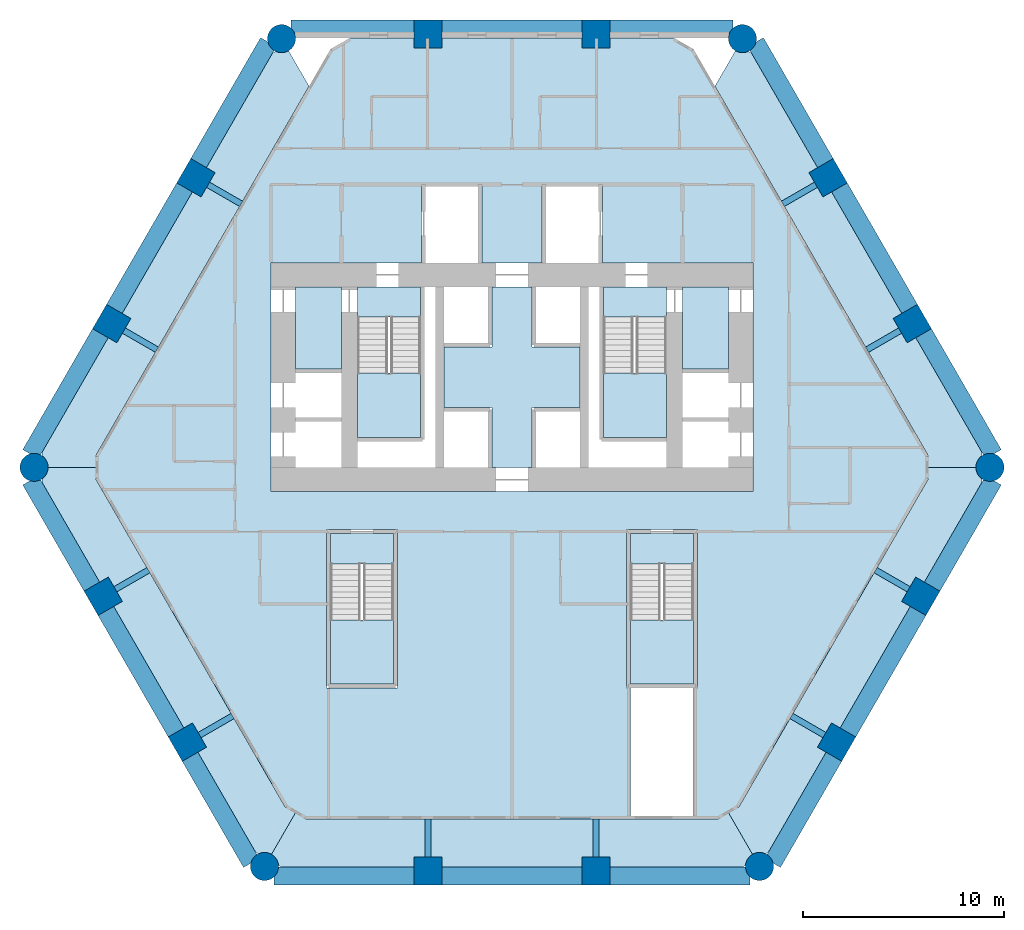
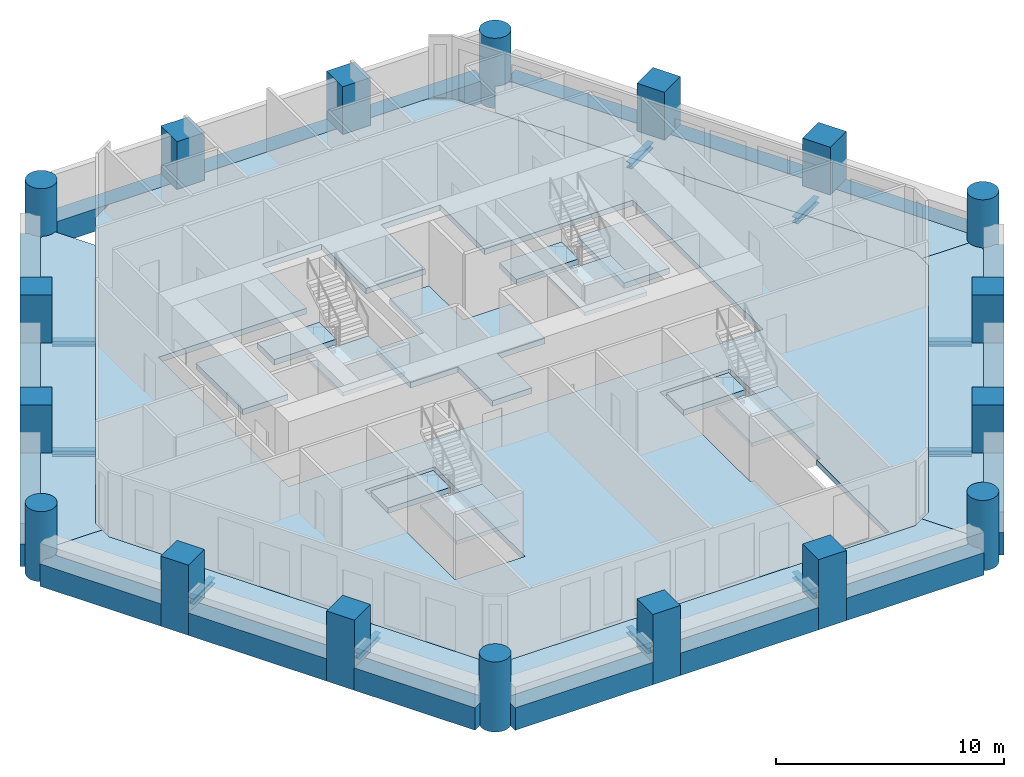
# One storey, part 1 of 8: 28 beams, 18 columns, 17 slabs, 4 elements without a shape of their own.
"""IFC4 building model written with IfcOpenShell, lengths in metres."""

from ifc_helpers import new_model, si_unit, direction, frame, origin, origin_2d, place, context, subcontext, project, spatial, polyline, rectangle, circle, i_section, outline, extrude, material, layer, layer_set, material_profile, profile_set, type_object, element, aggregate, save


model = new_model("IFC4")

# Units and contexts
model_context = context("Model", 3, precision=1e-05, world=origin(), true_north=direction((0.0, 1.0)))
body_context = subcontext(model_context, "Body", "Model", "MODEL_VIEW")
ifc_project = project(units=[si_unit("LENGTHUNIT", "METRE"), si_unit("AREAUNIT", "SQUARE_METRE"), si_unit("VOLUMEUNIT", "CUBIC_METRE"), si_unit("PLANEANGLEUNIT", "RADIAN"), si_unit("MASSUNIT", "GRAM", prefix="KILO")], contexts=[model_context])

# Site, building, storey
site_placement = place(None, origin())
site = spatial("IfcSite", under=ifc_project, at=site_placement, CompositionType="ELEMENT")
building_placement = place(site_placement, origin())
building = spatial("IfcBuilding", under=site, at=building_placement, Name="Ostrander Bayou Hotel Tower", CompositionType="ELEMENT")
storey_placement = place(building_placement, frame((0.0, 0.0, 50.5)))
storey = spatial("IfcBuildingStorey", under=building, at=storey_placement, Name="L12", CompositionType="ELEMENT", Elevation=50.5)

# Columns
ifc_material_1 = material(Name="Concrete f'c 70 MPa", Category="concrete")
ifc_material_profile_1 = material_profile(ifc_material_1, circle(Radius=0.699951171875, at=origin_2d()))
ifc_profile_set_1 = profile_set([ifc_material_profile_1], Name="Concrete f'c 70 MPa")
column_type_1 = type_object("IfcColumnType", Name="C1 round column 1400 mm f'c 70 MPa", PredefinedType="COLUMN", material=ifc_profile_set_1)
for number, where, z_axis, x_axis, name in (
    (1, (-11.483642578125, 20.872314453125, -1.199951171875), (0.0, 0.0, 1.0), (1.0, 0.0, 0.0), "C1 L12 K0"),
    (2, (-23.817626953125, -0.490966796875, -1.199951171875), (0.0, 0.0, 1.0), (1.0, 0.0, 0.0), "C1 L12 K1"),
    (3, (-12.333984375, -20.38134765625, -1.199951171875), (0.0, 0.0, 1.0), (1.0, 0.0, 0.0), "C1 L12 K2"),
    (4, (12.333984375, -20.38134765625, -1.199951171875), (0.0, 0.0, 1.0), (1.0, 0.0, 0.0), "C1 L12 K3"),
    (5, (23.817626953125, -0.490966796875, -1.199951171875), (0.0, 0.0, 1.0), (1.0, 0.0, 0.0), "C1 L12 K4"),
    (6, (11.483642578125, 20.872314453125, -1.199951171875), (0.0, 0.0, 1.0), (1.0, 0.0, 0.0), "C1 L12 K5"),
):
    element("IfcColumn", number, at=place(storey_placement, frame(where, z_axis=z_axis, x_axis=x_axis)), inside=storey, type_object=column_type_1, Name=name, PredefinedType="COLUMN", context=body_context, shape_type="SweptSolid", body=[
        extrude(circle(Radius=0.699951171875, at=origin_2d()), origin(), (0.0, 0.0, 1.0), 3.75),
    ])
ifc_material_2 = material(Name="Concrete f'c 70 MPa", Category="concrete")
ifc_material_profile_2 = material_profile(ifc_material_2, rectangle(XDim=1.39990234375, YDim=1.39990234375, at=origin_2d()))
ifc_profile_set_2 = profile_set([ifc_material_profile_2], Name="Concrete f'c 70 MPa")
column_type_2 = type_object("IfcColumnType", Name="C2 square column 1400 x 1400 mm f'c 70 MPa", PredefinedType="COLUMN", material=ifc_profile_set_2)
for number, where, z_axis, x_axis, name in (
    (7, (4.1953125, 21.10009765625, -1.199951171875), (0.0, 0.0, 1.0), (1.0, 0.0, 0.0), "C2 L12 N1"),
    (8, (-4.1953125, 21.10009765625, -1.199951171875), (0.0, 0.0, 1.0), (1.0, 0.0, 0.0), "C2 L12 N2"),
    (9, (-15.750244140625, 13.93798828125, -1.199951171875), (0.0, 0.0, 1.0), (0.5, 0.866025403784, 0.0), "C2 L12 NW1"),
    (10, (-19.94580078125, 6.671142578125, -1.199951171875), (0.0, 0.0, 1.0), (0.5, 0.866025403784, 0.0), "C2 L12 NW2"),
    (11, (-20.370849609375, -6.916748046875, -1.199951171875), (0.0, 0.0, 1.0), (-0.5, 0.866025403784, 0.0), "C2 L12 SW1"),
    (12, (-16.17529296875, -14.183349609375, -1.199951171875), (0.0, 0.0, 1.0), (-0.5, 0.866025403784, 0.0), "C2 L12 SW2"),
    (13, (-4.1953125, -20.60888671875, -1.199951171875), (0.0, 0.0, 1.0), (-1.0, 0.0, 0.0), "C2 L12 S1"),
    (14, (4.1953125, -20.60888671875, -1.199951171875), (0.0, 0.0, 1.0), (-1.0, 0.0, 0.0), "C2 L12 S2"),
    (15, (16.17529296875, -14.183349609375, -1.199951171875), (0.0, 0.0, 1.0), (-0.5, -0.866025403784, 0.0), "C2 L12 SE1"),
    (16, (20.370849609375, -6.916748046875, -1.199951171875), (0.0, 0.0, 1.0), (-0.5, -0.866025403784, 0.0), "C2 L12 SE2"),
    (17, (19.94580078125, 6.671142578125, -1.199951171875), (0.0, 0.0, 1.0), (0.5, -0.866025403784, 0.0), "C2 L12 NE1"),
    (18, (15.750244140625, 13.93798828125, -1.199951171875), (0.0, 0.0, 1.0), (0.5, -0.866025403784, 0.0), "C2 L12 NE2"),
):
    element("IfcColumn", number, at=place(storey_placement, frame(where, z_axis=z_axis, x_axis=x_axis)), inside=storey, type_object=column_type_2, Name=name, PredefinedType="COLUMN", context=body_context, shape_type="SweptSolid", body=[
        extrude(rectangle(XDim=1.39990234375, YDim=1.39990234375, at=origin_2d()), origin(), (0.0, 0.0, 1.0), 3.75),
    ])

# Beams
ifc_material_3 = material(Name="Steel ASTM A992", Category="steel")
ifc_material_profile_3 = material_profile(ifc_material_3, i_section(OverallWidth=0.3046875, OverallDepth=0.307861328125, WebThickness=0.010009765625, FlangeThickness=0.015380859375, at=origin_2d()))
ifc_profile_set_3 = profile_set([ifc_material_profile_3], Name="Steel ASTM A992")
beam_type_1 = type_object("IfcBeamType", Name="LB1 loggia bracket W12x65", PredefinedType="BEAM", material=ifc_profile_set_3)
beam_1_placement = place(storey_placement, frame((-15.14404296875, 13.587890625, -0.453857421875), z_axis=(0.866044365799, -0.499967155389, 0.0), x_axis=(0.499967155389, 0.866044365799, 0.0)))
element("IfcBeam", 19, at=beam_1_placement, inside=storey, type_object=beam_type_1, Name="LB1 L12 NW1", PredefinedType="BEAM", context=body_context, shape_type="SweptSolid", body=[
    extrude(i_section(OverallWidth=0.3046875, OverallDepth=0.307861328125, WebThickness=0.010009765625, FlangeThickness=0.015380859375, at=origin_2d()), origin(), (0.0, 0.0, 1.0), 1.900146484375),
])
beam_2_placement = place(storey_placement, frame((-19.33935546875, 6.3212890625, -0.453857421875), z_axis=(0.865956592479, -0.500119165741, 0.0), x_axis=(0.500119165741, 0.865956592479, 0.0)))
element("IfcBeam", 20, at=beam_2_placement, inside=storey, type_object=beam_type_1, Name="LB1 L12 NW2", PredefinedType="BEAM", context=body_context, shape_type="SweptSolid", body=[
    extrude(i_section(OverallWidth=0.3046875, OverallDepth=0.307861328125, WebThickness=0.010009765625, FlangeThickness=0.015380859375, at=origin_2d()), origin(), (0.0, 0.0, 1.0), 1.89990234375),
])
beam_3_placement = place(storey_placement, frame((-19.7646484375, -6.566650390625, -0.453857421875), z_axis=(0.866044365799, 0.499967155389, 0.0), x_axis=(-0.499967155389, 0.866044365799, 0.0)))
element("IfcBeam", 21, at=beam_3_placement, inside=storey, type_object=beam_type_1, Name="LB1 L12 SW1", PredefinedType="BEAM", context=body_context, shape_type="SweptSolid", body=[
    extrude(i_section(OverallWidth=0.3046875, OverallDepth=0.307861328125, WebThickness=0.010009765625, FlangeThickness=0.015380859375, at=origin_2d()), origin(), (0.0, 0.0, 1.0), 1.900146484375),
])
for number, where, z_axis, x_axis, name in (
    (22, (-15.569091796875, -13.833251953125, -0.453857421875), (0.86601224135, 0.500022797313, 0.0), (-0.500022797313, 0.86601224135, 0.0), "LB1 L12 SW2"),
    (23, (-4.1953125, -19.908935546875, -0.453857421875), (0.0, 1.0, 0.0), (-1.0, 0.0, 0.0), "LB1 L12 S1"),
    (24, (4.1953125, -19.908935546875, -0.453857421875), (0.0, 1.0, 0.0), (-1.0, 0.0, 0.0), "LB1 L12 S2"),
    (25, (15.569091796875, -13.833251953125, -0.453857421875), (-0.86601224135, 0.500022797313, 0.0), (-0.500022797313, -0.86601224135, 0.0), "LB1 L12 SE1"),
):
    element("IfcBeam", number, at=place(storey_placement, frame(where, z_axis=z_axis, x_axis=x_axis)), inside=storey, type_object=beam_type_1, Name=name, PredefinedType="BEAM", context=body_context, shape_type="SweptSolid", body=[
        extrude(i_section(OverallWidth=0.3046875, OverallDepth=0.307861328125, WebThickness=0.010009765625, FlangeThickness=0.015380859375, at=origin_2d()), origin(), (0.0, 0.0, 1.0), 1.89990234375),
    ])
beam_4_placement = place(storey_placement, frame((19.7646484375, -6.566650390625, -0.453857421875), z_axis=(-0.866044365799, 0.499967155389, 0.0), x_axis=(-0.499967155389, -0.866044365799, 0.0)))
element("IfcBeam", 26, at=beam_4_placement, inside=storey, type_object=beam_type_1, Name="LB1 L12 SE2", PredefinedType="BEAM", context=body_context, shape_type="SweptSolid", body=[
    extrude(i_section(OverallWidth=0.3046875, OverallDepth=0.307861328125, WebThickness=0.010009765625, FlangeThickness=0.015380859375, at=origin_2d()), origin(), (0.0, 0.0, 1.0), 1.900146484375),
])
beam_5_placement = place(storey_placement, frame((19.33935546875, 6.3212890625, -0.453857421875), z_axis=(-0.865956592479, -0.500119165741, 0.0), x_axis=(0.500119165741, -0.865956592479, 0.0)))
element("IfcBeam", 27, at=beam_5_placement, inside=storey, type_object=beam_type_1, Name="LB1 L12 NE1", PredefinedType="BEAM", context=body_context, shape_type="SweptSolid", body=[
    extrude(i_section(OverallWidth=0.3046875, OverallDepth=0.307861328125, WebThickness=0.010009765625, FlangeThickness=0.015380859375, at=origin_2d()), origin(), (0.0, 0.0, 1.0), 1.89990234375),
])
beam_6_placement = place(storey_placement, frame((15.14404296875, 13.587890625, -0.453857421875), z_axis=(-0.866044365799, -0.499967155389, 0.0), x_axis=(0.499967155389, -0.866044365799, 0.0)))
element("IfcBeam", 28, at=beam_6_placement, inside=storey, type_object=beam_type_1, Name="LB1 L12 NE2", PredefinedType="BEAM", context=body_context, shape_type="SweptSolid", body=[
    extrude(i_section(OverallWidth=0.3046875, OverallDepth=0.307861328125, WebThickness=0.010009765625, FlangeThickness=0.015380859375, at=origin_2d()), origin(), (0.0, 0.0, 1.0), 1.900146484375),
])
ifc_material_4 = material(Name="Concrete f'c 70 MPa", Category="concrete")
ifc_material_profile_4 = material_profile(ifc_material_4, rectangle(XDim=0.89990234375, YDim=1.199951171875, at=origin_2d()))
ifc_profile_set_4 = profile_set([ifc_material_profile_4], Name="Concrete f'c 70 MPa")
beam_type_2 = type_object("IfcBeamType", Name="SP1 spandrel beam 900 x 1200 mm f'c 70 MPa", PredefinedType="SPANDREL", material=ifc_profile_set_4)
beam_7_placement = place(storey_placement, frame((11.002197265625, 21.35009765625, -0.60009765625), z_axis=(-1.0, 0.0, 0.0), x_axis=(0.0, -1.0, 0.0)))
element("IfcBeam", 29, at=beam_7_placement, inside=storey, type_object=beam_type_2, Name="SP1 L12 N-1", PredefinedType="SPANDREL", context=body_context, shape_type="SweptSolid", body=[
    extrude(rectangle(XDim=0.89990234375, YDim=1.199951171875, at=origin_2d()), origin(), (0.0, 0.0, 1.0), 6.13671875),
])
beam_8_placement = place(storey_placement, frame((3.525390625, 21.35009765625, -0.60009765625), z_axis=(-1.0, 0.0, 0.0), x_axis=(0.0, -1.0, 0.0)))
element("IfcBeam", 30, at=beam_8_placement, inside=storey, type_object=beam_type_2, Name="SP1 L12 N-2", PredefinedType="SPANDREL", context=body_context, shape_type="SweptSolid", body=[
    extrude(rectangle(XDim=0.89990234375, YDim=1.199951171875, at=origin_2d()), origin(), (0.0, 0.0, 1.0), 7.05078125),
])
beam_9_placement = place(storey_placement, frame((-4.865478515625, 21.35009765625, -0.60009765625), z_axis=(-1.0, 0.0, 0.0), x_axis=(0.0, -1.0, 0.0)))
element("IfcBeam", 31, at=beam_9_placement, inside=storey, type_object=beam_type_2, Name="SP1 L12 N-3", PredefinedType="SPANDREL", context=body_context, shape_type="SweptSolid", body=[
    extrude(rectangle(XDim=0.89990234375, YDim=1.199951171875, at=origin_2d()), origin(), (0.0, 0.0, 1.0), 6.13671875),
])
beam_10_placement = place(storey_placement, frame((-12.13818359375, 20.694091796875, -0.60009765625), z_axis=(-0.500009789943, -0.866019751484, 0.0), x_axis=(0.866019751484, -0.500009789943, 0.0)))
element("IfcBeam", 32, at=beam_10_placement, inside=storey, type_object=beam_type_2, Name="SP1 L12 NW-1", PredefinedType="SPANDREL", context=body_context, shape_type="SweptSolid", body=[
    extrude(rectangle(XDim=0.89990234375, YDim=1.199951171875, at=origin_2d()), origin(), (0.0, 0.0, 1.0), 6.987060546875),
])
beam_11_placement = place(storey_placement, frame((-16.3017578125, 13.482666015625, -0.60009765625), z_axis=(-0.499997206141, -0.866027016814, 0.0), x_axis=(0.866027016814, -0.499997206141, 0.0)))
element("IfcBeam", 33, at=beam_11_placement, inside=storey, type_object=beam_type_2, Name="SP1 L12 NW-2", PredefinedType="SPANDREL", context=body_context, shape_type="SweptSolid", body=[
    extrude(rectangle(XDim=0.89990234375, YDim=1.199951171875, at=origin_2d()), origin(), (0.0, 0.0, 1.0), 7.05078125),
])
beam_12_placement = place(storey_placement, frame((-20.497314453125, 6.216064453125, -0.60009765625), z_axis=(-0.499983583635, -0.86603488157, 0.0), x_axis=(0.86603488157, -0.499983583635, 0.0)))
element("IfcBeam", 34, at=beam_12_placement, inside=storey, type_object=beam_type_2, Name="SP1 L12 NW-3", PredefinedType="SPANDREL", context=body_context, shape_type="SweptSolid", body=[
    extrude(rectangle(XDim=0.89990234375, YDim=1.199951171875, at=origin_2d()), origin(), (0.0, 0.0, 1.0), 6.987060546875),
])
beam_13_placement = place(storey_placement, frame((-23.99072265625, -1.14697265625, -0.60009765625), z_axis=(0.500007141444, -0.86602128063, 0.0), x_axis=(0.86602128063, 0.500007141444, 0.0)))
element("IfcBeam", 35, at=beam_13_placement, inside=storey, type_object=beam_type_2, Name="SP1 L12 SW-1", PredefinedType="SPANDREL", context=body_context, shape_type="SweptSolid", body=[
    extrude(rectangle(XDim=0.89990234375, YDim=1.199951171875, at=origin_2d()), origin(), (0.0, 0.0, 1.0), 6.13671875),
])
beam_14_placement = place(storey_placement, frame((-20.252197265625, -7.621826171875, -0.60009765625), z_axis=(0.499997206141, -0.866027016814, 0.0), x_axis=(0.866027016814, 0.499997206141, 0.0)))
element("IfcBeam", 36, at=beam_14_placement, inside=storey, type_object=beam_type_2, Name="SP1 L12 SW-2", PredefinedType="SPANDREL", context=body_context, shape_type="SweptSolid", body=[
    extrude(rectangle(XDim=0.89990234375, YDim=1.199951171875, at=origin_2d()), origin(), (0.0, 0.0, 1.0), 7.05078125),
])
beam_15_placement = place(storey_placement, frame((-16.056884765625, -14.888671875, -0.60009765625), z_axis=(0.500007141444, -0.86602128063, 0.0), x_axis=(0.86602128063, 0.500007141444, 0.0)))
element("IfcBeam", 37, at=beam_15_placement, inside=storey, type_object=beam_type_2, Name="SP1 L12 SW-3", PredefinedType="SPANDREL", context=body_context, shape_type="SweptSolid", body=[
    extrude(rectangle(XDim=0.89990234375, YDim=1.199951171875, at=origin_2d()), origin(), (0.0, 0.0, 1.0), 6.13671875),
])
beam_16_placement = place(storey_placement, frame((-11.852294921875, -20.85888671875, -0.60009765625), z_axis=(1.0, 0.0, 0.0), x_axis=(0.0, 1.0, 0.0)))
element("IfcBeam", 38, at=beam_16_placement, inside=storey, type_object=beam_type_2, Name="SP1 L12 S-1", PredefinedType="SPANDREL", context=body_context, shape_type="SweptSolid", body=[
    extrude(rectangle(XDim=0.89990234375, YDim=1.199951171875, at=origin_2d()), origin(), (0.0, 0.0, 1.0), 6.98681640625),
])
beam_17_placement = place(storey_placement, frame((-3.525390625, -20.85888671875, -0.60009765625), z_axis=(1.0, 0.0, 0.0), x_axis=(0.0, 1.0, 0.0)))
element("IfcBeam", 39, at=beam_17_placement, inside=storey, type_object=beam_type_2, Name="SP1 L12 S-2", PredefinedType="SPANDREL", context=body_context, shape_type="SweptSolid", body=[
    extrude(rectangle(XDim=0.89990234375, YDim=1.199951171875, at=origin_2d()), origin(), (0.0, 0.0, 1.0), 7.05078125),
])
beam_18_placement = place(storey_placement, frame((4.865478515625, -20.85888671875, -0.60009765625), z_axis=(1.0, 0.0, 0.0), x_axis=(0.0, 1.0, 0.0)))
element("IfcBeam", 40, at=beam_18_placement, inside=storey, type_object=beam_type_2, Name="SP1 L12 S-3", PredefinedType="SPANDREL", context=body_context, shape_type="SweptSolid", body=[
    extrude(rectangle(XDim=0.89990234375, YDim=1.199951171875, at=origin_2d()), origin(), (0.0, 0.0, 1.0), 6.98681640625),
])
beam_19_placement = place(storey_placement, frame((12.988525390625, -20.203125, -0.60009765625), z_axis=(0.500007141444, 0.86602128063, 0.0), x_axis=(-0.86602128063, 0.500007141444, 0.0)))
element("IfcBeam", 41, at=beam_19_placement, inside=storey, type_object=beam_type_2, Name="SP1 L12 SE-1", PredefinedType="SPANDREL", context=body_context, shape_type="SweptSolid", body=[
    extrude(rectangle(XDim=0.89990234375, YDim=1.199951171875, at=origin_2d()), origin(), (0.0, 0.0, 1.0), 6.13671875),
])
beam_20_placement = place(storey_placement, frame((16.726806640625, -13.72802734375, -0.60009765625), z_axis=(0.499997206141, 0.866027016814, 0.0), x_axis=(-0.866027016814, 0.499997206141, 0.0)))
element("IfcBeam", 42, at=beam_20_placement, inside=storey, type_object=beam_type_2, Name="SP1 L12 SE-2", PredefinedType="SPANDREL", context=body_context, shape_type="SweptSolid", body=[
    extrude(rectangle(XDim=0.89990234375, YDim=1.199951171875, at=origin_2d()), origin(), (0.0, 0.0, 1.0), 7.05078125),
])
beam_21_placement = place(storey_placement, frame((20.92236328125, -6.46142578125, -0.60009765625), z_axis=(0.500007141444, 0.86602128063, 0.0), x_axis=(-0.86602128063, 0.500007141444, 0.0)))
element("IfcBeam", 43, at=beam_21_placement, inside=storey, type_object=beam_type_2, Name="SP1 L12 SE-3", PredefinedType="SPANDREL", context=body_context, shape_type="SweptSolid", body=[
    extrude(rectangle(XDim=0.89990234375, YDim=1.199951171875, at=origin_2d()), origin(), (0.0, 0.0, 1.0), 6.13671875),
])
beam_22_placement = place(storey_placement, frame((23.99072265625, 0.1650390625, -0.60009765625), z_axis=(-0.499983583635, 0.86603488157, 0.0), x_axis=(-0.86603488157, -0.499983583635, 0.0)))
element("IfcBeam", 44, at=beam_22_placement, inside=storey, type_object=beam_type_2, Name="SP1 L12 NE-1", PredefinedType="SPANDREL", context=body_context, shape_type="SweptSolid", body=[
    extrude(rectangle(XDim=0.89990234375, YDim=1.199951171875, at=origin_2d()), origin(), (0.0, 0.0, 1.0), 6.987060546875),
])
beam_23_placement = place(storey_placement, frame((19.8271484375, 7.37646484375, -0.60009765625), z_axis=(-0.499997206141, 0.866027016814, 0.0), x_axis=(-0.866027016814, -0.499997206141, 0.0)))
element("IfcBeam", 45, at=beam_23_placement, inside=storey, type_object=beam_type_2, Name="SP1 L12 NE-2", PredefinedType="SPANDREL", context=body_context, shape_type="SweptSolid", body=[
    extrude(rectangle(XDim=0.89990234375, YDim=1.199951171875, at=origin_2d()), origin(), (0.0, 0.0, 1.0), 7.05078125),
])
beam_24_placement = place(storey_placement, frame((15.6318359375, 14.64306640625, -0.60009765625), z_axis=(-0.500009789943, 0.866019751484, 0.0), x_axis=(-0.866019751484, -0.500009789943, 0.0)))
element("IfcBeam", 46, at=beam_24_placement, inside=storey, type_object=beam_type_2, Name="SP1 L12 NE-3", PredefinedType="SPANDREL", context=body_context, shape_type="SweptSolid", body=[
    extrude(rectangle(XDim=0.89990234375, YDim=1.199951171875, at=origin_2d()), origin(), (0.0, 0.0, 1.0), 6.987060546875),
])

# Slabs
ifc_material_5 = material(Name="Concrete f'c 40 MPa", Category="concrete")
ifc_layer_1 = layer(ifc_material_5, 0.300048828125)
ifc_layer_set_1 = layer_set([ifc_layer_1], Name="SL1 floor slab 300 mm f'c 40 MPa")
slab_type_1 = type_object("IfcSlabType", Name="SL1 floor slab 300 mm f'c 40 MPa", PredefinedType="FLOOR", material=ifc_layer_set_1)
slab_1_placement = place(storey_placement, frame((0.0, 0.0, -0.300048828125)))
element("IfcSlab", 47, at=slab_1_placement, inside=storey, type_object=slab_type_1, Name="SL1 L12 1", PredefinedType="FLOOR", context=body_context, shape_type="SweptSolid", body=[
    extrude(outline(polyline([(-3.525390625, 20.89990234375), (3.525390625, 20.89990234375), (4.865478515625, 20.89990234375), (8.03564453125, 20.89990234375), (9.07470703125, 20.300048828125), (20.732177734375, 0.10888671875), (20.732177734375, -1.091064453125), (11.310791015625, -17.408935546875), (10.271484375, -18.009033203125), (-10.271484375, -18.009033203125), (-11.310791015625, -17.408935546875), (-20.732177734375, -1.091064453125), (-20.732177734375, 0.10888671875), (-9.07470703125, 20.300048828125), (-8.03564453125, 20.89990234375), (-4.865478515625, 20.89990234375), (-3.525390625, 20.89990234375)]), holes=[polyline([(-12.0, -1.699951171875), (12.0, -1.699951171875), (12.0, 9.699951171875), (4.5, 9.699951171875), (4.5, 13.60009765625), (1.5, 13.60009765625), (1.5, 9.699951171875), (-1.5, 9.699951171875), (-1.5, 13.60009765625), (-4.5, 13.60009765625), (-4.5, 9.699951171875), (-12.0, 9.699951171875), (-12.0, -1.699951171875)]), polyline([(9.050048828125, -11.5), (9.25, -11.5), (9.25, -3.60009765625), (5.699951171875, -3.60009765625), (5.699951171875, -11.5), (5.89990234375, -11.5), (5.89990234375, -17.85888671875), (9.050048828125, -17.85888671875), (9.050048828125, -11.5)]), polyline([(-5.699951171875, -3.60009765625), (-9.25, -3.60009765625), (-9.25, -11.5), (-5.699951171875, -11.5), (-5.699951171875, -3.60009765625)])]), origin(), (0.0, 0.0, 1.0), 0.300048828125),
])
slab_2_placement = place(storey_placement, frame((0.0, 0.0, -0.300048828125)))
element("IfcSlab", 48, at=slab_2_placement, inside=storey, type_object=slab_type_1, Name="cslab:L12:001", PredefinedType="FLOOR", context=body_context, shape_type="SweptSolid", body=[
    extrude(outline(polyline([(-3.39990234375, 5.5), (-1.0, 5.5), (-1.0, 8.5), (1.0, 8.5), (1.0, 5.5), (3.39990234375, 5.5), (3.39990234375, 2.5), (1.0, 2.5), (1.0, -0.5), (-1.0, -0.5), (-1.0, 2.5), (-3.39990234375, 2.5), (-3.39990234375, 5.5)])), origin(), (0.0, 0.0, 1.0), 0.300048828125),
])
slab_3_placement = place(storey_placement, frame((0.0, 0.0, -0.300048828125)))
element("IfcSlab", 49, at=slab_3_placement, inside=storey, type_object=slab_type_1, Name="cslab:L12:002", PredefinedType="FLOOR", context=body_context, shape_type="SweptSolid", body=[
    extrude(outline(polyline([(-8.5, 4.39990234375), (-8.5, 8.5), (-10.800048828125, 8.5), (-10.800048828125, 4.39990234375), (-8.5, 4.39990234375)])), origin(), (0.0, 0.0, 1.0), 0.300048828125),
])
slab_4_placement = place(storey_placement, frame((0.0, 0.0, -0.300048828125)))
element("IfcSlab", 50, at=slab_4_placement, inside=storey, type_object=slab_type_1, Name="cslab:L12:003", PredefinedType="FLOOR", context=body_context, shape_type="SweptSolid", body=[
    extrude(outline(polyline([(10.800048828125, 4.39990234375), (10.800048828125, 8.5), (8.5, 8.5), (8.5, 4.39990234375), (10.800048828125, 4.39990234375)])), origin(), (0.0, 0.0, 1.0), 0.300048828125),
])
slab_5_placement = place(storey_placement, frame((0.0, 0.0, -0.300048828125)))
element("IfcSlab", 51, at=slab_5_placement, inside=storey, type_object=slab_type_1, Name="cslab:L12:004", PredefinedType="FLOOR", context=body_context, shape_type="SweptSolid", body=[
    extrude(outline(polyline([(-4.550048828125, 7.0), (-4.550048828125, 8.5), (-7.699951171875, 8.5), (-7.699951171875, 7.0), (-4.550048828125, 7.0)])), origin(), (0.0, 0.0, 1.0), 0.300048828125),
])
slab_6_placement = place(storey_placement, frame((0.0, 0.0, -0.300048828125)))
element("IfcSlab", 52, at=slab_6_placement, inside=storey, type_object=slab_type_1, Name="cslab:L12:005", PredefinedType="FLOOR", context=body_context, shape_type="SweptSolid", body=[
    extrude(outline(polyline([(7.699951171875, 7.0), (7.699951171875, 8.5), (4.550048828125, 8.5), (4.550048828125, 7.0), (7.699951171875, 7.0)])), origin(), (0.0, 0.0, 1.0), 0.300048828125),
])
slab_7_placement = place(storey_placement, frame((0.0, 0.0, -0.300048828125)))
element("IfcSlab", 53, at=slab_7_placement, inside=storey, type_object=slab_type_1, Name="cslab:L12:006", PredefinedType="FLOOR", context=body_context, shape_type="SweptSolid", body=[
    extrude(outline(polyline([(9.050048828125, -5.300048828125), (9.050048828125, -3.800048828125), (5.89990234375, -3.800048828125), (5.89990234375, -5.300048828125), (9.050048828125, -5.300048828125)])), origin(), (0.0, 0.0, 1.0), 0.300048828125),
])
slab_8_placement = place(storey_placement, frame((0.0, 0.0, -0.300048828125)))
element("IfcSlab", 54, at=slab_8_placement, inside=storey, type_object=slab_type_1, Name="cslab:L12:007", PredefinedType="FLOOR", context=body_context, shape_type="SweptSolid", body=[
    extrude(outline(polyline([(-5.89990234375, -5.300048828125), (-5.89990234375, -3.800048828125), (-9.050048828125, -3.800048828125), (-9.050048828125, -5.300048828125), (-5.89990234375, -5.300048828125)])), origin(), (0.0, 0.0, 1.0), 0.300048828125),
])
ifc_material_6 = material(Name="Concrete f'c 40 MPa", Category="concrete")
ifc_layer_2 = layer(ifc_material_6, 0.300048828125)
ifc_layer_set_2 = layer_set([ifc_layer_2], Name="SL4 loggia slab 300 mm f'c 40 MPa")
slab_type_2 = type_object("IfcSlabType", Name="SL4 loggia slab 300 mm f'c 40 MPa", PredefinedType="FLOOR", material=ifc_layer_set_2)
slab_9_placement = place(storey_placement, frame((0.0, 0.0, -0.300048828125)))
element("IfcSlab", 55, at=slab_9_placement, inside=storey, type_object=slab_type_2, Name="SL4 LOGGIA L12 NW 1", PredefinedType="FLOOR", context=body_context, shape_type="SweptSolid", body=[
    extrude(outline(polyline([(-23.11767578125, -0.490966796875), (-23.131103515625, -0.3544921875), (-23.1708984375, -0.22314453125), (-23.235595703125, -0.10205078125), (-23.32275390625, 0.00390625), (-23.416748046875, 0.081298828125), (-23.416748046875, 0.259033203125), (-19.4375, 7.1513671875), (-19.134033203125, 7.677001953125), (-11.9326171875, 20.14990234375), (-11.777587890625, 20.239501953125), (-11.751708984375, 20.2255859375), (-11.620361328125, 20.185791015625), (-11.483642578125, 20.172119140625), (-11.34716796875, 20.185791015625), (-11.2158203125, 20.2255859375), (-11.13525390625, 20.2685546875), (-10.114013671875, 18.5), (-20.732177734375, 0.10888671875), (-20.732177734375, -0.490966796875), (-23.11767578125, -0.490966796875)])), origin(), (0.0, 0.0, 1.0), 0.300048828125),
])
slab_10_placement = place(storey_placement, frame((0.0, 0.0, -0.300048828125)))
element("IfcSlab", 56, at=slab_10_placement, inside=storey, type_object=slab_type_2, Name="SL4 LOGGIA L12 SW 1", PredefinedType="FLOOR", context=body_context, shape_type="SweptSolid", body=[
    extrude(outline(polyline([(-10.791259765625, -17.708984375), (-11.985595703125, -19.777587890625), (-12.066162109375, -19.734619140625), (-12.197509765625, -19.694580078125), (-12.333984375, -19.681396484375), (-12.470703125, -19.694580078125), (-12.601806640625, -19.734619140625), (-12.628173828125, -19.74853515625), (-12.783203125, -19.658935546875), (-15.667236328125, -14.66357421875), (-16.337158203125, -13.503173828125), (-19.862548828125, -7.39697265625), (-20.53271484375, -6.236328125), (-23.416748046875, -1.240966796875), (-23.416748046875, -1.06298828125), (-23.32275390625, -0.98583984375), (-23.235595703125, -0.8798828125), (-23.1708984375, -0.7587890625), (-23.131103515625, -0.62744140625), (-23.11767578125, -0.490966796875), (-20.732177734375, -0.490966796875), (-20.732177734375, -1.091064453125), (-11.310791015625, -17.408935546875), (-10.791259765625, -17.708984375)])), origin(), (0.0, 0.0, 1.0), 0.300048828125),
])
slab_11_placement = place(storey_placement, frame((0.0, 0.0, -0.300048828125)))
element("IfcSlab", 57, at=slab_11_placement, inside=storey, type_object=slab_type_2, Name="SL4 LOGGIA L12 S 1", PredefinedType="FLOOR", context=body_context, shape_type="SweptSolid", body=[
    extrude(outline(polyline([(10.791259765625, -17.708984375), (11.985595703125, -19.777587890625), (11.945068359375, -19.79931640625), (11.839111328125, -19.88623046875), (11.751953125, -19.992431640625), (11.687255859375, -20.11328125), (11.6474609375, -20.24462890625), (11.64013671875, -20.31884765625), (11.48388671875, -20.408935546875), (4.865478515625, -20.408935546875), (3.525390625, -20.408935546875), (-3.525390625, -20.408935546875), (-4.865478515625, -20.408935546875), (-11.48388671875, -20.408935546875), (-11.64013671875, -20.31884765625), (-11.6474609375, -20.24462890625), (-11.687255859375, -20.11328125), (-11.751953125, -19.992431640625), (-11.839111328125, -19.88623046875), (-11.945068359375, -19.79931640625), (-11.985595703125, -19.777587890625), (-10.791259765625, -17.708984375), (-10.271484375, -18.009033203125), (10.271484375, -18.009033203125), (10.791259765625, -17.708984375)])), origin(), (0.0, 0.0, 1.0), 0.300048828125),
])
slab_12_placement = place(storey_placement, frame((0.0, 0.0, -0.300048828125)))
element("IfcSlab", 58, at=slab_12_placement, inside=storey, type_object=slab_type_2, Name="SL4 LOGGIA L12 SE 1", PredefinedType="FLOOR", context=body_context, shape_type="SweptSolid", body=[
    extrude(outline(polyline([(20.732177734375, -0.490966796875), (23.11767578125, -0.490966796875), (23.131103515625, -0.62744140625), (23.1708984375, -0.7587890625), (23.235595703125, -0.8798828125), (23.32275390625, -0.98583984375), (23.416748046875, -1.06298828125), (23.416748046875, -1.240966796875), (20.53271484375, -6.236328125), (19.862548828125, -7.39697265625), (16.337158203125, -13.503173828125), (15.667236328125, -14.66357421875), (12.783203125, -19.658935546875), (12.628173828125, -19.74853515625), (12.601806640625, -19.734619140625), (12.470703125, -19.694580078125), (12.333984375, -19.681396484375), (12.197509765625, -19.694580078125), (12.066162109375, -19.734619140625), (11.985595703125, -19.777587890625), (10.791259765625, -17.708984375), (11.310791015625, -17.408935546875), (20.732177734375, -1.091064453125), (20.732177734375, -0.490966796875)])), origin(), (0.0, 0.0, 1.0), 0.300048828125),
])
slab_13_placement = place(storey_placement, frame((0.0, 0.0, -0.300048828125)))
element("IfcSlab", 59, at=slab_13_placement, inside=storey, type_object=slab_type_2, Name="SL4 LOGGIA L12 NE 1", PredefinedType="FLOOR", context=body_context, shape_type="SweptSolid", body=[
    extrude(outline(polyline([(11.13525390625, 20.2685546875), (11.2158203125, 20.2255859375), (11.34716796875, 20.185791015625), (11.483642578125, 20.172119140625), (11.620361328125, 20.185791015625), (11.751708984375, 20.2255859375), (11.777587890625, 20.239501953125), (11.9326171875, 20.14990234375), (17.70068359375, 10.159423828125), (19.4375, 7.1513671875), (20.107421875, 5.990966796875), (23.416748046875, 0.259033203125), (23.416748046875, 0.081298828125), (23.32275390625, 0.00390625), (23.235595703125, -0.10205078125), (23.1708984375, -0.22314453125), (23.131103515625, -0.3544921875), (23.11767578125, -0.490966796875), (20.732177734375, -0.490966796875), (20.732177734375, 0.10888671875), (10.114013671875, 18.5), (11.13525390625, 20.2685546875)])), origin(), (0.0, 0.0, 1.0), 0.300048828125),
])

# Stair, slab
ifc_material_7 = material(Name="Concrete f'c 45 MPa", Category="concrete")
stair_type = type_object("IfcStairType", Name="ST1 exit stair 1500 mm f'c 45 MPa", PredefinedType="HALF_TURN_STAIR", material=ifc_material_7)
stair_1_placement = place(storey_placement, origin())
stair_1 = element("IfcStair", 60, at=stair_1_placement, inside=storey, type_object=stair_type, Name="L12 exit stair A", PredefinedType="HALF_TURN_STAIR")
ifc_material_8 = material(Name="Concrete f'c 45 MPa", Category="concrete")
ifc_layer_3 = layer(ifc_material_8, 0.199951171875)
ifc_layer_set_3 = layer_set([ifc_layer_3], Name="SL8 stair landing 200 mm f'c 45 MPa")
slab_type_3 = type_object("IfcSlabType", Name="SL8 stair landing 200 mm f'c 45 MPa", PredefinedType="LANDING", material=ifc_layer_set_3)
slab_14_placement = place(storey_placement, frame((0.0, 0.0, 1.675048828125)))
slab_14 = element("IfcSlab", 61, at=slab_14_placement, type_object=slab_type_3, Name="STA landing 1", PredefinedType="LANDING", context=body_context, shape_type="SweptSolid", body=[
    extrude(outline(polyline([(-7.699951171875, 4.199951171875), (-7.699951171875, 1.0), (-4.550048828125, 1.0), (-4.550048828125, 4.199951171875), (-7.699951171875, 4.199951171875)])), origin(), (0.0, 0.0, 1.0), 0.199951171875),
])
aggregate(stair_1, [slab_14])

stair_2_placement = place(storey_placement, origin())
stair_2 = element("IfcStair", 62, at=stair_2_placement, inside=storey, type_object=stair_type, Name="L12 exit stair B", PredefinedType="HALF_TURN_STAIR")
slab_15_placement = place(storey_placement, frame((0.0, 0.0, 1.675048828125)))
slab_15 = element("IfcSlab", 63, at=slab_15_placement, type_object=slab_type_3, Name="STB landing 1", PredefinedType="LANDING", context=body_context, shape_type="SweptSolid", body=[
    extrude(outline(polyline([(4.550048828125, 4.199951171875), (4.550048828125, 1.0), (7.699951171875, 1.0), (7.699951171875, 4.199951171875), (4.550048828125, 4.199951171875)])), origin(), (0.0, 0.0, 1.0), 0.199951171875),
])
aggregate(stair_2, [slab_15])

stair_3_placement = place(storey_placement, origin())
stair_3 = element("IfcStair", 64, at=stair_3_placement, inside=storey, type_object=stair_type, Name="L12 exit stair C", PredefinedType="HALF_TURN_STAIR")
slab_16_placement = place(storey_placement, frame((0.0, 0.0, 1.675048828125)))
slab_16 = element("IfcSlab", 65, at=slab_16_placement, type_object=slab_type_3, Name="STC landing 1", PredefinedType="LANDING", context=body_context, shape_type="SweptSolid", body=[
    extrude(outline(polyline([(5.89990234375, -8.10009765625), (5.89990234375, -11.300048828125), (9.050048828125, -11.300048828125), (9.050048828125, -8.10009765625), (5.89990234375, -8.10009765625)])), origin(), (0.0, 0.0, 1.0), 0.199951171875),
])
aggregate(stair_3, [slab_16])

stair_4_placement = place(storey_placement, origin())
stair_4 = element("IfcStair", 66, at=stair_4_placement, inside=storey, type_object=stair_type, Name="L12 exit stair D", PredefinedType="HALF_TURN_STAIR")
slab_17_placement = place(storey_placement, frame((0.0, 0.0, 1.675048828125)))
slab_17 = element("IfcSlab", 67, at=slab_17_placement, type_object=slab_type_3, Name="STD landing 1", PredefinedType="LANDING", context=body_context, shape_type="SweptSolid", body=[
    extrude(outline(polyline([(-9.050048828125, -8.10009765625), (-9.050048828125, -11.300048828125), (-5.89990234375, -11.300048828125), (-5.89990234375, -8.10009765625), (-9.050048828125, -8.10009765625)])), origin(), (0.0, 0.0, 1.0), 0.199951171875),
])
aggregate(stair_4, [slab_17])

save(model, "model.ifc")
